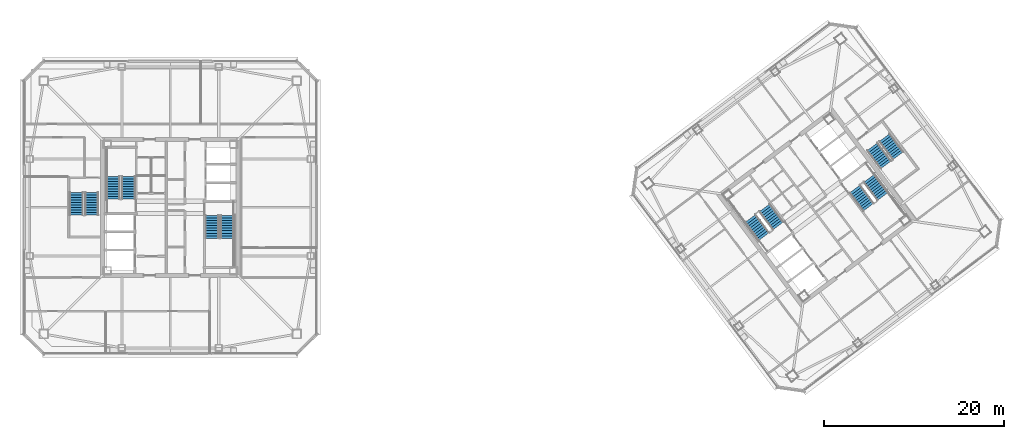
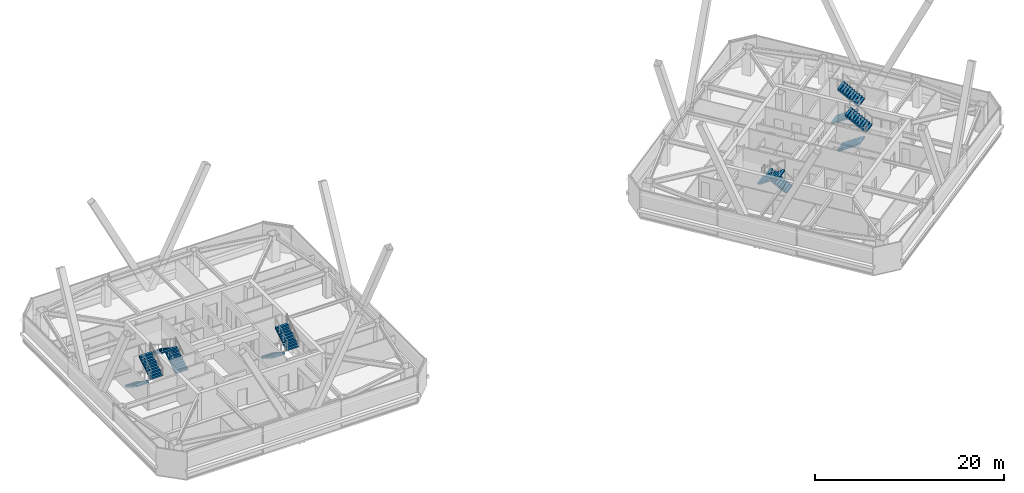
# One storey, part 41 of 47: 12 stair flights, 6 elements without a shape of their own.
"""IFC4 building model written with IfcOpenShell, lengths in metres."""

from ifc_helpers import new_model, si_unit, direction, frame, origin, place, context, subcontext, project, spatial, polyline, outline, extrude, material, type_object, element, aggregate, save


model = new_model("IFC4")

# Units and contexts
model_context = context("Model", 3, precision=1e-05, world=origin(), true_north=direction((0.0, 1.0)))
body_context = subcontext(model_context, "Body", "Model", "MODEL_VIEW")
ifc_project = project(units=[si_unit("LENGTHUNIT", "METRE"), si_unit("AREAUNIT", "SQUARE_METRE"), si_unit("VOLUMEUNIT", "CUBIC_METRE"), si_unit("PLANEANGLEUNIT", "RADIAN"), si_unit("MASSUNIT", "GRAM", prefix="KILO")], contexts=[model_context])

# Site, building, storey
site_placement = place(None, origin())
site = spatial("IfcSite", under=ifc_project, at=site_placement, CompositionType="ELEMENT")
building_placement = place(site_placement, origin())
building = spatial("IfcBuilding", under=site, at=building_placement, Name="Tashvorn Skyway Center", CompositionType="ELEMENT")
storey_placement = place(building_placement, frame((0.0, 0.0, 204.199951171875)))
storey = spatial("IfcBuildingStorey", under=building, at=storey_placement, Name="L55", CompositionType="ELEMENT", Elevation=204.199951171875)

# Stair, stair flights
ifc_material = material(Name="Concrete C40/50", Category="concrete")
stair_type = type_object("IfcStairType", Name="STAIR-CORE-1500", PredefinedType="HALF_TURN_STAIR", material=ifc_material)
stair_1_placement = place(storey_placement, origin())
stair_1 = element("IfcStair", 1, at=stair_1_placement, inside=storey, type_object=stair_type, Name="L55 Tower 1 Exit Stair 1", PredefinedType="HALF_TURN_STAIR")
stair_flight_type = type_object("IfcStairFlightType", Name="SFLIGHT-1500", PredefinedType="STRAIGHT", material=ifc_material)
stair_flight_1_placement = place(storey_placement, frame((37.35009765625, 32.919921875, 0.0), z_axis=(0.0, 0.0, 1.0), x_axis=(0.0, 1.0, 0.0)))
stair_flight_1 = element("IfcStairFlight", 2, at=stair_flight_1_placement, type_object=stair_flight_type, Name="ST-T1-1 flight 1", NumberOfRisers=10, NumberOfTreads=9, PredefinedType="STRAIGHT", RiserHeight=0.1775, TreadLength=0.28, context=body_context, shape_type="SweptSolid", body=[
    extrude(outline(polyline([(0.0, 0.0), (0.0, 0.177490234375), (0.280029296875, 0.177490234375), (0.280029296875, 0.35498046875), (0.56005859375, 0.35498046875), (0.56005859375, 0.532470703125), (0.840087890625, 0.532470703125), (0.840087890625, 0.7099609375), (1.1201171875, 0.7099609375), (1.1201171875, 0.887451171875), (1.39990234375, 0.887451171875), (1.39990234375, 1.06494140625), (1.679931640625, 1.06494140625), (1.679931640625, 1.242431640625), (1.9599609375, 1.242431640625), (1.9599609375, 1.419921875), (2.239990234375, 1.419921875), (2.239990234375, 1.597412109375), (2.52001953125, 1.597412109375), (2.52001953125, 1.77490234375), (2.52001953125, 1.419921875), (0.280029296875, 0.0), (0.0, 0.0)])), frame((0.0, 0.75, 0.0), z_axis=(0.0, -1.0, 0.0), x_axis=(1.0, 0.0, 0.0)), (0.0, 0.0, 1.0), 1.5),
])
stair_flight_2_placement = place(storey_placement, frame((35.64990234375, 35.43994140625, 1.775146484375), z_axis=(0.0, 0.0, 1.0), x_axis=(0.0, -1.0, 0.0)))
stair_flight_2 = element("IfcStairFlight", 3, at=stair_flight_2_placement, type_object=stair_flight_type, Name="ST-T1-1 flight 2", NumberOfRisers=10, NumberOfTreads=9, PredefinedType="STRAIGHT", RiserHeight=0.1775, TreadLength=0.28, context=body_context, shape_type="SweptSolid", body=[
    extrude(outline(polyline([(0.0, 0.0), (0.0, 0.177490234375), (0.280029296875, 0.177490234375), (0.280029296875, 0.35498046875), (0.56005859375, 0.35498046875), (0.56005859375, 0.532470703125), (0.840087890625, 0.532470703125), (0.840087890625, 0.7099609375), (1.1201171875, 0.7099609375), (1.1201171875, 0.887451171875), (1.39990234375, 0.887451171875), (1.39990234375, 1.06494140625), (1.679931640625, 1.06494140625), (1.679931640625, 1.242431640625), (1.9599609375, 1.242431640625), (1.9599609375, 1.419921875), (2.239990234375, 1.419921875), (2.239990234375, 1.597412109375), (2.52001953125, 1.597412109375), (2.52001953125, 1.77490234375), (2.52001953125, 1.419921875), (0.280029296875, 0.0), (0.0, 0.0)])), frame((0.0, 0.75, 0.0), z_axis=(0.0, -1.0, 0.0), x_axis=(1.0, 0.0, 0.0)), (0.0, 0.0, 1.0), 1.5),
])
aggregate(stair_1, [stair_flight_1, stair_flight_2])

stair_2_placement = place(storey_placement, origin())
stair_2 = element("IfcStair", 4, at=stair_2_placement, inside=storey, type_object=stair_type, Name="L55 Tower 1 Exit Stair 2", PredefinedType="HALF_TURN_STAIR")
stair_flight_3_placement = place(storey_placement, frame((46.64990234375, 31.080078125, 0.0), z_axis=(0.0, 0.0, 1.0), x_axis=(0.0, -1.0, 0.0)))
stair_flight_3 = element("IfcStairFlight", 5, at=stair_flight_3_placement, type_object=stair_flight_type, Name="ST-T1-2 flight 1", NumberOfRisers=10, NumberOfTreads=9, PredefinedType="STRAIGHT", RiserHeight=0.1775, TreadLength=0.28, context=body_context, shape_type="SweptSolid", body=[
    extrude(outline(polyline([(0.0, 0.0), (0.0, 0.177490234375), (0.280029296875, 0.177490234375), (0.280029296875, 0.35498046875), (0.56005859375, 0.35498046875), (0.56005859375, 0.532470703125), (0.840087890625, 0.532470703125), (0.840087890625, 0.7099609375), (1.1201171875, 0.7099609375), (1.1201171875, 0.887451171875), (1.39990234375, 0.887451171875), (1.39990234375, 1.06494140625), (1.679931640625, 1.06494140625), (1.679931640625, 1.242431640625), (1.9599609375, 1.242431640625), (1.9599609375, 1.419921875), (2.239990234375, 1.419921875), (2.239990234375, 1.597412109375), (2.52001953125, 1.597412109375), (2.52001953125, 1.77490234375), (2.52001953125, 1.419921875), (0.280029296875, 0.0), (0.0, 0.0)])), frame((0.0, 0.75, 0.0), z_axis=(0.0, -1.0, 0.0), x_axis=(1.0, 0.0, 0.0)), (0.0, 0.0, 1.0), 1.5),
])
stair_flight_4_placement = place(storey_placement, frame((48.35009765625, 28.56005859375, 1.775146484375), z_axis=(0.0, 0.0, 1.0), x_axis=(0.0, 1.0, 0.0)))
stair_flight_4 = element("IfcStairFlight", 6, at=stair_flight_4_placement, type_object=stair_flight_type, Name="ST-T1-2 flight 2", NumberOfRisers=10, NumberOfTreads=9, PredefinedType="STRAIGHT", RiserHeight=0.1775, TreadLength=0.28, context=body_context, shape_type="SweptSolid", body=[
    extrude(outline(polyline([(0.0, 0.0), (0.0, 0.177490234375), (0.280029296875, 0.177490234375), (0.280029296875, 0.35498046875), (0.56005859375, 0.35498046875), (0.56005859375, 0.532470703125), (0.840087890625, 0.532470703125), (0.840087890625, 0.7099609375), (1.1201171875, 0.7099609375), (1.1201171875, 0.887451171875), (1.39990234375, 0.887451171875), (1.39990234375, 1.06494140625), (1.679931640625, 1.06494140625), (1.679931640625, 1.242431640625), (1.9599609375, 1.242431640625), (1.9599609375, 1.419921875), (2.239990234375, 1.419921875), (2.239990234375, 1.597412109375), (2.52001953125, 1.597412109375), (2.52001953125, 1.77490234375), (2.52001953125, 1.419921875), (0.280029296875, 0.0), (0.0, 0.0)])), frame((0.0, 0.75, 0.0), z_axis=(0.0, -1.0, 0.0), x_axis=(1.0, 0.0, 0.0)), (0.0, 0.0, 1.0), 1.5),
])
aggregate(stair_2, [stair_flight_3, stair_flight_4])

stair_3_placement = place(storey_placement, origin())
stair_3 = element("IfcStair", 7, at=stair_3_placement, inside=storey, type_object=stair_type, Name="L55 Tower 2 Exit Stair 1", PredefinedType="HALF_TURN_STAIR")
stair_flight_5_placement = place(storey_placement, frame((109.72802734375, 29.946044921875, 0.0), z_axis=(0.0, 0.0, 1.0), x_axis=(-0.600000004945, 0.799999996291, 0.0)))
stair_flight_5 = element("IfcStairFlight", 8, at=stair_flight_5_placement, type_object=stair_flight_type, Name="ST-T2-1 flight 1", NumberOfRisers=10, NumberOfTreads=9, PredefinedType="STRAIGHT", RiserHeight=0.1775, TreadLength=0.28, context=body_context, shape_type="SweptSolid", body=[
    extrude(outline(polyline([(0.0, 0.0), (0.0, 0.177490234375), (0.280029296875, 0.177490234375), (0.280029296875, 0.35498046875), (0.56005859375, 0.35498046875), (0.56005859375, 0.532470703125), (0.840087890625, 0.532470703125), (0.840087890625, 0.7099609375), (1.1201171875, 0.7099609375), (1.1201171875, 0.887451171875), (1.39990234375, 0.887451171875), (1.39990234375, 1.06494140625), (1.679931640625, 1.06494140625), (1.679931640625, 1.242431640625), (1.9599609375, 1.242431640625), (1.9599609375, 1.419921875), (2.239990234375, 1.419921875), (2.239990234375, 1.597412109375), (2.52001953125, 1.597412109375), (2.52001953125, 1.77490234375), (2.52001953125, 1.419921875), (0.280029296875, 0.0), (0.0, 0.0)])), frame((0.0, 0.75, 0.0), z_axis=(0.0, -1.0, 0.0), x_axis=(1.0, 0.0, 0.0)), (0.0, 0.0, 1.0), 1.5),
])
stair_flight_6_placement = place(storey_placement, frame((106.632080078125, 30.77392578125, 1.775146484375), z_axis=(0.0, 0.0, 1.0), x_axis=(0.600000004945, -0.799999996291, 0.0)))
stair_flight_6 = element("IfcStairFlight", 9, at=stair_flight_6_placement, type_object=stair_flight_type, Name="ST-T2-1 flight 2", NumberOfRisers=10, NumberOfTreads=9, PredefinedType="STRAIGHT", RiserHeight=0.1775, TreadLength=0.28, context=body_context, shape_type="SweptSolid", body=[
    extrude(outline(polyline([(0.0, 0.0), (0.0, 0.177490234375), (0.280029296875, 0.177490234375), (0.280029296875, 0.35498046875), (0.56005859375, 0.35498046875), (0.56005859375, 0.532470703125), (0.840087890625, 0.532470703125), (0.840087890625, 0.7099609375), (1.1201171875, 0.7099609375), (1.1201171875, 0.887451171875), (1.39990234375, 0.887451171875), (1.39990234375, 1.06494140625), (1.679931640625, 1.06494140625), (1.679931640625, 1.242431640625), (1.9599609375, 1.242431640625), (1.9599609375, 1.419921875), (2.239990234375, 1.419921875), (2.239990234375, 1.597412109375), (2.52001953125, 1.597412109375), (2.52001953125, 1.77490234375), (2.52001953125, 1.419921875), (0.280029296875, 0.0), (0.0, 0.0)])), frame((0.0, 0.75, 0.0), z_axis=(0.0, -1.0, 0.0), x_axis=(1.0, 0.0, 0.0)), (0.0, 0.0, 1.0), 1.5),
])
aggregate(stair_3, [stair_flight_5, stair_flight_6])

stair_4_placement = place(storey_placement, origin())
stair_4 = element("IfcStair", 10, at=stair_4_placement, inside=storey, type_object=stair_type, Name="L55 Tower 2 Exit Stair 2", PredefinedType="HALF_TURN_STAIR")
stair_flight_7_placement = place(storey_placement, frame((118.27197265625, 34.053955078125, 0.0), z_axis=(0.0, 0.0, 1.0), x_axis=(0.600000004945, -0.799999996291, 0.0)))
stair_flight_7 = element("IfcStairFlight", 11, at=stair_flight_7_placement, type_object=stair_flight_type, Name="ST-T2-2 flight 1", NumberOfRisers=10, NumberOfTreads=9, PredefinedType="STRAIGHT", RiserHeight=0.1775, TreadLength=0.28, context=body_context, shape_type="SweptSolid", body=[
    extrude(outline(polyline([(0.0, 0.0), (0.0, 0.177490234375), (0.280029296875, 0.177490234375), (0.280029296875, 0.35498046875), (0.56005859375, 0.35498046875), (0.56005859375, 0.532470703125), (0.840087890625, 0.532470703125), (0.840087890625, 0.7099609375), (1.1201171875, 0.7099609375), (1.1201171875, 0.887451171875), (1.39990234375, 0.887451171875), (1.39990234375, 1.06494140625), (1.679931640625, 1.06494140625), (1.679931640625, 1.242431640625), (1.9599609375, 1.242431640625), (1.9599609375, 1.419921875), (2.239990234375, 1.419921875), (2.239990234375, 1.597412109375), (2.52001953125, 1.597412109375), (2.52001953125, 1.77490234375), (2.52001953125, 1.419921875), (0.280029296875, 0.0), (0.0, 0.0)])), frame((0.0, 0.75, 0.0), z_axis=(0.0, -1.0, 0.0), x_axis=(1.0, 0.0, 0.0)), (0.0, 0.0, 1.0), 1.5),
])
stair_flight_8_placement = place(storey_placement, frame((121.367919921875, 33.22607421875, 1.775146484375), z_axis=(0.0, 0.0, 1.0), x_axis=(-0.600000004945, 0.799999996291, 0.0)))
stair_flight_8 = element("IfcStairFlight", 12, at=stair_flight_8_placement, type_object=stair_flight_type, Name="ST-T2-2 flight 2", NumberOfRisers=10, NumberOfTreads=9, PredefinedType="STRAIGHT", RiserHeight=0.1775, TreadLength=0.28, context=body_context, shape_type="SweptSolid", body=[
    extrude(outline(polyline([(0.0, 0.0), (0.0, 0.177490234375), (0.280029296875, 0.177490234375), (0.280029296875, 0.35498046875), (0.56005859375, 0.35498046875), (0.56005859375, 0.532470703125), (0.840087890625, 0.532470703125), (0.840087890625, 0.7099609375), (1.1201171875, 0.7099609375), (1.1201171875, 0.887451171875), (1.39990234375, 0.887451171875), (1.39990234375, 1.06494140625), (1.679931640625, 1.06494140625), (1.679931640625, 1.242431640625), (1.9599609375, 1.242431640625), (1.9599609375, 1.419921875), (2.239990234375, 1.419921875), (2.239990234375, 1.597412109375), (2.52001953125, 1.597412109375), (2.52001953125, 1.77490234375), (2.52001953125, 1.419921875), (0.280029296875, 0.0), (0.0, 0.0)])), frame((0.0, 0.75, 0.0), z_axis=(0.0, -1.0, 0.0), x_axis=(1.0, 0.0, 0.0)), (0.0, 0.0, 1.0), 1.5),
])
aggregate(stair_4, [stair_flight_7, stair_flight_8])

stair_5_placement = place(storey_placement, origin())
stair_5 = element("IfcStair", 13, at=stair_5_placement, inside=storey, type_object=stair_type, Name="L55 Tower 1 Exit Stair 3", PredefinedType="HALF_TURN_STAIR")
stair_flight_9_placement = place(storey_placement, frame((31.550048828125, 33.679931640625, 0.0), z_axis=(0.0, 0.0, 1.0), x_axis=(0.0, -1.0, 0.0)))
stair_flight_9 = element("IfcStairFlight", 14, at=stair_flight_9_placement, type_object=stair_flight_type, Name="ST-T1-3 flight 1", NumberOfRisers=10, NumberOfTreads=9, PredefinedType="STRAIGHT", RiserHeight=0.1775, TreadLength=0.28, context=body_context, shape_type="SweptSolid", body=[
    extrude(outline(polyline([(0.0, 0.0), (0.0, 0.177490234375), (0.280029296875, 0.177490234375), (0.280029296875, 0.35498046875), (0.56005859375, 0.35498046875), (0.56005859375, 0.532470703125), (0.840087890625, 0.532470703125), (0.840087890625, 0.7099609375), (1.1201171875, 0.7099609375), (1.1201171875, 0.887451171875), (1.39990234375, 0.887451171875), (1.39990234375, 1.06494140625), (1.679931640625, 1.06494140625), (1.679931640625, 1.242431640625), (1.9599609375, 1.242431640625), (1.9599609375, 1.419921875), (2.239990234375, 1.419921875), (2.239990234375, 1.597412109375), (2.52001953125, 1.597412109375), (2.52001953125, 1.77490234375), (2.52001953125, 1.419921875), (0.280029296875, 0.0), (0.0, 0.0)])), frame((0.0, 0.75, 0.0), z_axis=(0.0, -1.0, 0.0), x_axis=(1.0, 0.0, 0.0)), (0.0, 0.0, 1.0), 1.5),
])
stair_flight_10_placement = place(storey_placement, frame((33.25, 31.159912109375, 1.775146484375), z_axis=(0.0, 0.0, 1.0), x_axis=(0.0, 1.0, 0.0)))
stair_flight_10 = element("IfcStairFlight", 15, at=stair_flight_10_placement, type_object=stair_flight_type, Name="ST-T1-3 flight 2", NumberOfRisers=10, NumberOfTreads=9, PredefinedType="STRAIGHT", RiserHeight=0.1775, TreadLength=0.28, context=body_context, shape_type="SweptSolid", body=[
    extrude(outline(polyline([(0.0, 0.0), (0.0, 0.177490234375), (0.280029296875, 0.177490234375), (0.280029296875, 0.35498046875), (0.56005859375, 0.35498046875), (0.56005859375, 0.532470703125), (0.840087890625, 0.532470703125), (0.840087890625, 0.7099609375), (1.1201171875, 0.7099609375), (1.1201171875, 0.887451171875), (1.39990234375, 0.887451171875), (1.39990234375, 1.06494140625), (1.679931640625, 1.06494140625), (1.679931640625, 1.242431640625), (1.9599609375, 1.242431640625), (1.9599609375, 1.419921875), (2.239990234375, 1.419921875), (2.239990234375, 1.597412109375), (2.52001953125, 1.597412109375), (2.52001953125, 1.77490234375), (2.52001953125, 1.419921875), (0.280029296875, 0.0), (0.0, 0.0)])), frame((0.0, 0.75, 0.0), z_axis=(0.0, -1.0, 0.0), x_axis=(1.0, 0.0, 0.0)), (0.0, 0.0, 1.0), 1.5),
])
aggregate(stair_5, [stair_flight_9, stair_flight_10])

stair_6_placement = place(storey_placement, origin())
stair_6 = element("IfcStair", 16, at=stair_6_placement, inside=storey, type_object=stair_type, Name="L55 Tower 2 Exit Stair 3", PredefinedType="HALF_TURN_STAIR")
stair_flight_11_placement = place(storey_placement, frame((120.216064453125, 38.761962890625, 0.0), z_axis=(0.0, 0.0, 1.0), x_axis=(0.600000004945, -0.799999996291, 0.0)))
stair_flight_11 = element("IfcStairFlight", 17, at=stair_flight_11_placement, type_object=stair_flight_type, Name="ST-T2-3 flight 1", NumberOfRisers=10, NumberOfTreads=9, PredefinedType="STRAIGHT", RiserHeight=0.1775, TreadLength=0.28, context=body_context, shape_type="SweptSolid", body=[
    extrude(outline(polyline([(0.0, 0.0), (0.0, 0.177490234375), (0.280029296875, 0.177490234375), (0.280029296875, 0.35498046875), (0.56005859375, 0.35498046875), (0.56005859375, 0.532470703125), (0.840087890625, 0.532470703125), (0.840087890625, 0.7099609375), (1.1201171875, 0.7099609375), (1.1201171875, 0.887451171875), (1.39990234375, 0.887451171875), (1.39990234375, 1.06494140625), (1.679931640625, 1.06494140625), (1.679931640625, 1.242431640625), (1.9599609375, 1.242431640625), (1.9599609375, 1.419921875), (2.239990234375, 1.419921875), (2.239990234375, 1.597412109375), (2.52001953125, 1.597412109375), (2.52001953125, 1.77490234375), (2.52001953125, 1.419921875), (0.280029296875, 0.0), (0.0, 0.0)])), frame((0.0, 0.75, 0.0), z_axis=(0.0, -1.0, 0.0), x_axis=(1.0, 0.0, 0.0)), (0.0, 0.0, 1.0), 1.5),
])
stair_flight_12_placement = place(storey_placement, frame((123.087890625, 37.76611328125, 1.775146484375), z_axis=(0.0, 0.0, 1.0), x_axis=(-0.600000004945, 0.799999996291, 0.0)))
stair_flight_12 = element("IfcStairFlight", 18, at=stair_flight_12_placement, type_object=stair_flight_type, Name="ST-T2-3 flight 2", NumberOfRisers=10, NumberOfTreads=9, PredefinedType="STRAIGHT", RiserHeight=0.1775, TreadLength=0.28, context=body_context, shape_type="SweptSolid", body=[
    extrude(outline(polyline([(0.0, 0.0), (0.0, 0.177490234375), (0.280029296875, 0.177490234375), (0.280029296875, 0.35498046875), (0.56005859375, 0.35498046875), (0.56005859375, 0.532470703125), (0.840087890625, 0.532470703125), (0.840087890625, 0.7099609375), (1.1201171875, 0.7099609375), (1.1201171875, 0.887451171875), (1.39990234375, 0.887451171875), (1.39990234375, 1.06494140625), (1.679931640625, 1.06494140625), (1.679931640625, 1.242431640625), (1.9599609375, 1.242431640625), (1.9599609375, 1.419921875), (2.239990234375, 1.419921875), (2.239990234375, 1.597412109375), (2.52001953125, 1.597412109375), (2.52001953125, 1.77490234375), (2.52001953125, 1.419921875), (0.280029296875, 0.0), (0.0, 0.0)])), frame((0.0, 0.75, 0.0), z_axis=(0.0, -1.0, 0.0), x_axis=(1.0, 0.0, 0.0)), (0.0, 0.0, 1.0), 1.5),
])
aggregate(stair_6, [stair_flight_11, stair_flight_12])

save(model, "model.ifc")
